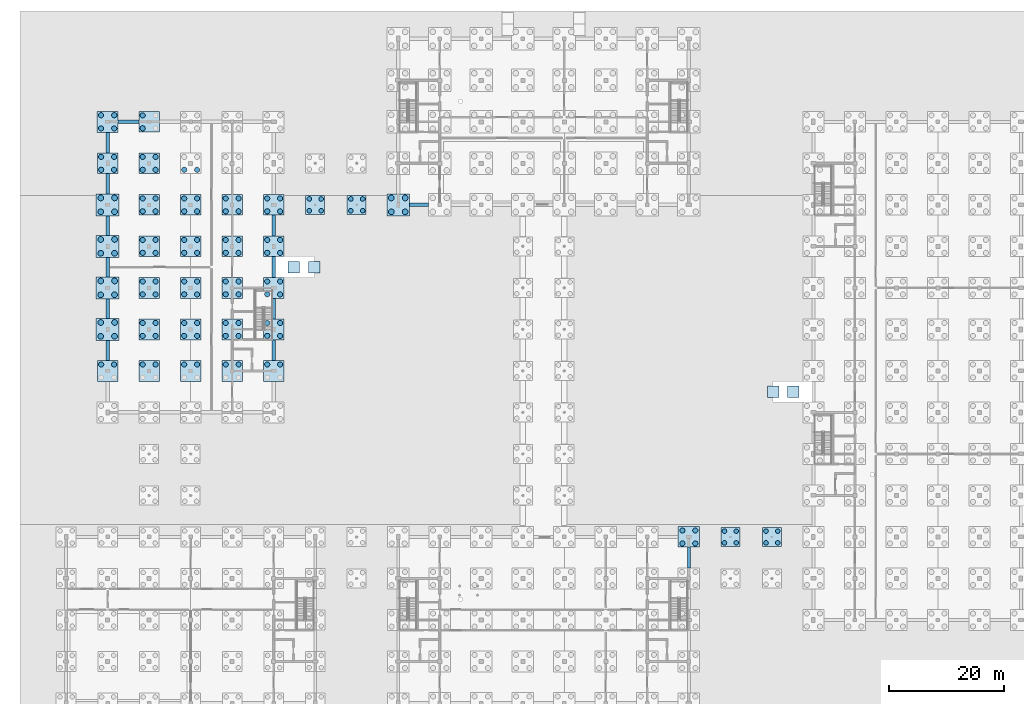
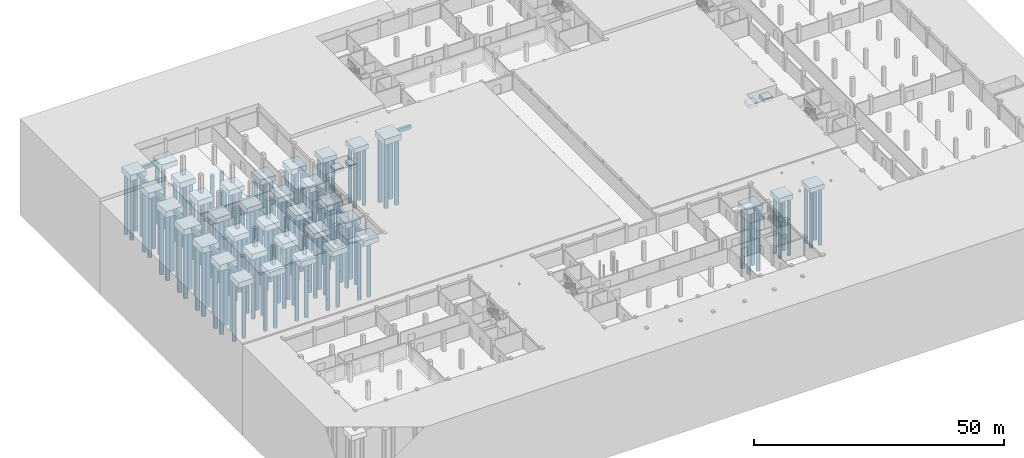
# One storey, part 4 of 51: 130 piles, 52 footings.
"""IFC4 building model written with IfcOpenShell, lengths in metres."""

from ifc_helpers import new_model, si_unit, direction, frame, origin, origin_2d, place, context, subcontext, project, spatial, rectangle, circle, extrude, material, material_profile, profile_set, type_object, element, save


model = new_model("IFC4")

# Units and contexts
model_context = context("Model", 3, precision=1e-05, world=origin(), true_north=direction((0.0, 1.0)))
body_context = subcontext(model_context, "Body", "Model", "MODEL_VIEW")
ifc_project = project(units=[si_unit("LENGTHUNIT", "METRE"), si_unit("AREAUNIT", "SQUARE_METRE"), si_unit("VOLUMEUNIT", "CUBIC_METRE"), si_unit("PLANEANGLEUNIT", "RADIAN"), si_unit("MASSUNIT", "GRAM", prefix="KILO")], contexts=[model_context])

# Site, building, storey
site_placement = place(None, origin())
site = spatial("IfcSite", under=ifc_project, at=site_placement, CompositionType="ELEMENT")
building_placement = place(site_placement, origin())
building = spatial("IfcBuilding", under=site, at=building_placement, Name="Zlatovets Crest Museum", CompositionType="ELEMENT")
storey_placement = place(building_placement, frame((0.0, 0.0, -4.5)))
storey = spatial("IfcBuildingStorey", under=building, at=storey_placement, Name="B1", CompositionType="ELEMENT", Elevation=-4.5)

# Piles
ifc_material = material(Name="Concrete C35/45", Category="concrete")
ifc_material_profile_1 = material_profile(ifc_material, circle(Radius=0.39990234375, at=origin_2d()), Name="PILE D800")
ifc_profile_set_1 = profile_set([ifc_material_profile_1], Name="Concrete C35/45")
pile_type_1 = type_object("IfcPileType", Name="BoredPile_PL-01", PredefinedType="BORED", material=ifc_profile_set_1)
for number, where, z_axis, x_axis, name in (
    (1, (42.179931640625, 85.3798828125, -1.39990234375), (0.0, 0.0, -1.0), (1.0, 0.0, 0.0), "Bored pile PL-01 BR3-S1T0.1"),
    (2, (42.179931640625, 87.419921875, -1.39990234375), (0.0, 0.0, -1.0), (1.0, 0.0, 0.0), "Bored pile PL-01 BR3-S1T0.2"),
    (3, (44.219970703125, 85.3798828125, -1.39990234375), (0.0, 0.0, -1.0), (1.0, 0.0, 0.0), "Bored pile PL-01 BR3-S1T0.3"),
    (4, (44.219970703125, 87.419921875, -1.39990234375), (0.0, 0.0, -1.0), (1.0, 0.0, 0.0), "Bored pile PL-01 BR3-S1T0.4"),
    (5, (49.3798828125, 85.3798828125, -1.39990234375), (0.0, 0.0, -1.0), (1.0, 0.0, 0.0), "Bored pile PL-01 BR3-S2T0.1"),
    (6, (49.3798828125, 87.419921875, -1.39990234375), (0.0, 0.0, -1.0), (1.0, 0.0, 0.0), "Bored pile PL-01 BR3-S2T0.2"),
    (7, (51.419921875, 85.3798828125, -1.39990234375), (0.0, 0.0, -1.0), (1.0, 0.0, 0.0), "Bored pile PL-01 BR3-S2T0.3"),
    (8, (51.419921875, 87.419921875, -1.39990234375), (0.0, 0.0, -1.0), (1.0, 0.0, 0.0), "Bored pile PL-01 BR3-S2T0.4"),
    (9, (114.179931640625, 27.780029296875, -1.39990234375), (0.0, 0.0, -1.0), (1.0, 0.0, 0.0), "Bored pile PL-01 BR4-S1T1.1"),
    (10, (114.179931640625, 29.820068359375, -1.39990234375), (0.0, 0.0, -1.0), (1.0, 0.0, 0.0), "Bored pile PL-01 BR4-S1T1.2"),
    (11, (116.219970703125, 27.780029296875, -1.39990234375), (0.0, 0.0, -1.0), (1.0, 0.0, 0.0), "Bored pile PL-01 BR4-S1T1.3"),
    (12, (116.219970703125, 29.820068359375, -1.39990234375), (0.0, 0.0, -1.0), (1.0, 0.0, 0.0), "Bored pile PL-01 BR4-S1T1.4"),
    (13, (121.3798828125, 27.780029296875, -1.39990234375), (0.0, 0.0, -1.0), (1.0, 0.0, 0.0), "Bored pile PL-01 BR4-S2T1.1"),
    (14, (121.3798828125, 29.820068359375, -1.39990234375), (0.0, 0.0, -1.0), (1.0, 0.0, 0.0), "Bored pile PL-01 BR4-S2T1.2"),
    (15, (123.419921875, 27.780029296875, -1.39990234375), (0.0, 0.0, -1.0), (1.0, 0.0, 0.0), "Bored pile PL-01 BR4-S2T1.3"),
    (16, (123.419921875, 29.820068359375, -1.39990234375), (0.0, 0.0, -1.0), (1.0, 0.0, 0.0), "Bored pile PL-01 BR4-S2T1.4"),
):
    element("IfcPile", number, at=place(storey_placement, frame(where, z_axis=z_axis, x_axis=x_axis)), inside=storey, type_object=pile_type_1, Name=name, PredefinedType="BORED", context=body_context, shape_type="SweptSolid", body=[
        extrude(circle(Radius=0.39990234375, at=origin_2d()), origin(), (0.0, 0.0, 1.0), 14.0),
    ])
ifc_material_profile_2 = material_profile(ifc_material, circle(Radius=0.449951171875, at=origin_2d()), Name="PILE D900")
ifc_profile_set_2 = profile_set([ifc_material_profile_2], Name="Concrete C35/45")
pile_type_2 = type_object("IfcPileType", Name="BoredPile_PL-02", PredefinedType="BORED", material=ifc_profile_set_2)
for number, where, z_axis, x_axis, name in (
    (17, (106.8798828125, 27.679931640625, -1.60009765625), (0.0, 0.0, -1.0), (1.0, 0.0, 0.0), "Bored pile PL-02 V2-X07Y04.1"),
    (18, (106.8798828125, 29.919921875, -1.60009765625), (0.0, 0.0, -1.0), (1.0, 0.0, 0.0), "Bored pile PL-02 V2-X07Y04.2"),
    (19, (109.1201171875, 27.679931640625, -1.60009765625), (0.0, 0.0, -1.0), (1.0, 0.0, 0.0), "Bored pile PL-02 V2-X07Y04.3"),
    (20, (109.1201171875, 29.919921875, -1.60009765625), (0.0, 0.0, -1.0), (1.0, 0.0, 0.0), "Bored pile PL-02 V2-X07Y04.4"),
    (21, (6.080078125, 58.719970703125, -1.550048828125), (0.0, 0.0, -1.0), (1.0, 0.0, 0.0), "Bored pile PL-02 V4-X00Y01.2"),
    (22, (8.320068359375, 58.719970703125, -1.550048828125), (0.0, 0.0, -1.0), (1.0, 0.0, 0.0), "Bored pile PL-02 V4-X00Y01.4"),
    (23, (6.080078125, 92.47998046875, -1.550048828125), (0.0, 0.0, -1.0), (1.0, 0.0, 0.0), "Bored pile PL-02 V4-X00Y06.1"),
    (24, (6.080078125, 94.719970703125, -1.550048828125), (0.0, 0.0, -1.0), (1.0, 0.0, 0.0), "Bored pile PL-02 V4-X00Y06.2"),
    (25, (8.320068359375, 92.47998046875, -1.550048828125), (0.0, 0.0, -1.0), (1.0, 0.0, 0.0), "Bored pile PL-02 V4-X00Y06.3"),
    (26, (8.320068359375, 94.719970703125, -1.550048828125), (0.0, 0.0, -1.0), (1.0, 0.0, 0.0), "Bored pile PL-02 V4-X00Y06.4"),
    (27, (6.06005859375, 99.659912109375, -1.60009765625), (0.0, 0.0, -1.0), (1.0, 0.0, 0.0), "Bored pile PL-02 V4-X00Y07.1"),
    (28, (6.06005859375, 101.93994140625, -1.60009765625), (0.0, 0.0, -1.0), (1.0, 0.0, 0.0), "Bored pile PL-02 V4-X00Y07.2"),
    (29, (8.340087890625, 99.659912109375, -1.60009765625), (0.0, 0.0, -1.0), (1.0, 0.0, 0.0), "Bored pile PL-02 V4-X00Y07.3"),
    (30, (8.340087890625, 101.93994140625, -1.60009765625), (0.0, 0.0, -1.0), (1.0, 0.0, 0.0), "Bored pile PL-02 V4-X00Y07.4"),
    (31, (13.280029296875, 58.719970703125, -1.550048828125), (0.0, 0.0, -1.0), (1.0, 0.0, 0.0), "Bored pile PL-02 V4-X01Y01.2"),
    (32, (15.52001953125, 58.719970703125, -1.550048828125), (0.0, 0.0, -1.0), (1.0, 0.0, 0.0), "Bored pile PL-02 V4-X01Y01.4"),
    (33, (13.280029296875, 63.679931640625, -1.550048828125), (0.0, 0.0, -1.0), (1.0, 0.0, 0.0), "Bored pile PL-02 V4-X01Y02.1"),
    (34, (13.280029296875, 65.919921875, -1.550048828125), (0.0, 0.0, -1.0), (1.0, 0.0, 0.0), "Bored pile PL-02 V4-X01Y02.2"),
    (35, (15.52001953125, 63.679931640625, -1.550048828125), (0.0, 0.0, -1.0), (1.0, 0.0, 0.0), "Bored pile PL-02 V4-X01Y02.3"),
    (36, (15.52001953125, 65.919921875, -1.550048828125), (0.0, 0.0, -1.0), (1.0, 0.0, 0.0), "Bored pile PL-02 V4-X01Y02.4"),
    (37, (13.280029296875, 70.8798828125, -1.550048828125), (0.0, 0.0, -1.0), (1.0, 0.0, 0.0), "Bored pile PL-02 V4-X01Y03.1"),
    (38, (13.280029296875, 73.1201171875, -1.550048828125), (0.0, 0.0, -1.0), (1.0, 0.0, 0.0), "Bored pile PL-02 V4-X01Y03.2"),
    (39, (15.52001953125, 70.8798828125, -1.550048828125), (0.0, 0.0, -1.0), (1.0, 0.0, 0.0), "Bored pile PL-02 V4-X01Y03.3"),
    (40, (15.52001953125, 73.1201171875, -1.550048828125), (0.0, 0.0, -1.0), (1.0, 0.0, 0.0), "Bored pile PL-02 V4-X01Y03.4"),
    (41, (13.280029296875, 78.080078125, -1.550048828125), (0.0, 0.0, -1.0), (1.0, 0.0, 0.0), "Bored pile PL-02 V4-X01Y04.1"),
    (42, (13.280029296875, 80.320068359375, -1.550048828125), (0.0, 0.0, -1.0), (1.0, 0.0, 0.0), "Bored pile PL-02 V4-X01Y04.2"),
    (43, (15.52001953125, 78.080078125, -1.550048828125), (0.0, 0.0, -1.0), (1.0, 0.0, 0.0), "Bored pile PL-02 V4-X01Y04.3"),
    (44, (15.52001953125, 80.320068359375, -1.550048828125), (0.0, 0.0, -1.0), (1.0, 0.0, 0.0), "Bored pile PL-02 V4-X01Y04.4"),
    (45, (13.280029296875, 85.280029296875, -1.550048828125), (0.0, 0.0, -1.0), (1.0, 0.0, 0.0), "Bored pile PL-02 V4-X01Y05.1"),
    (46, (13.280029296875, 87.52001953125, -1.550048828125), (0.0, 0.0, -1.0), (1.0, 0.0, 0.0), "Bored pile PL-02 V4-X01Y05.2"),
    (47, (15.52001953125, 85.280029296875, -1.550048828125), (0.0, 0.0, -1.0), (1.0, 0.0, 0.0), "Bored pile PL-02 V4-X01Y05.3"),
    (48, (15.52001953125, 87.52001953125, -1.550048828125), (0.0, 0.0, -1.0), (1.0, 0.0, 0.0), "Bored pile PL-02 V4-X01Y05.4"),
    (49, (13.280029296875, 92.47998046875, -1.550048828125), (0.0, 0.0, -1.0), (1.0, 0.0, 0.0), "Bored pile PL-02 V4-X01Y06.1"),
    (50, (13.280029296875, 94.719970703125, -1.550048828125), (0.0, 0.0, -1.0), (1.0, 0.0, 0.0), "Bored pile PL-02 V4-X01Y06.2"),
    (51, (15.52001953125, 92.47998046875, -1.550048828125), (0.0, 0.0, -1.0), (1.0, 0.0, 0.0), "Bored pile PL-02 V4-X01Y06.3"),
    (52, (15.52001953125, 94.719970703125, -1.550048828125), (0.0, 0.0, -1.0), (1.0, 0.0, 0.0), "Bored pile PL-02 V4-X01Y06.4"),
    (53, (13.280029296875, 99.679931640625, -1.550048828125), (0.0, 0.0, -1.0), (1.0, 0.0, 0.0), "Bored pile PL-02 V4-X01Y07.1"),
    (54, (13.280029296875, 101.919921875, -1.550048828125), (0.0, 0.0, -1.0), (1.0, 0.0, 0.0), "Bored pile PL-02 V4-X01Y07.2"),
    (55, (20.47998046875, 58.719970703125, -1.550048828125), (0.0, 0.0, -1.0), (1.0, 0.0, 0.0), "Bored pile PL-02 V4-X02Y01.2"),
    (56, (22.719970703125, 58.719970703125, -1.550048828125), (0.0, 0.0, -1.0), (1.0, 0.0, 0.0), "Bored pile PL-02 V4-X02Y01.4"),
    (57, (20.47998046875, 63.679931640625, -1.550048828125), (0.0, 0.0, -1.0), (1.0, 0.0, 0.0), "Bored pile PL-02 V4-X02Y02.1"),
    (58, (20.47998046875, 65.919921875, -1.550048828125), (0.0, 0.0, -1.0), (1.0, 0.0, 0.0), "Bored pile PL-02 V4-X02Y02.2"),
    (59, (22.719970703125, 63.679931640625, -1.550048828125), (0.0, 0.0, -1.0), (1.0, 0.0, 0.0), "Bored pile PL-02 V4-X02Y02.3"),
    (60, (22.719970703125, 65.919921875, -1.550048828125), (0.0, 0.0, -1.0), (1.0, 0.0, 0.0), "Bored pile PL-02 V4-X02Y02.4"),
    (61, (20.47998046875, 70.8798828125, -1.550048828125), (0.0, 0.0, -1.0), (1.0, 0.0, 0.0), "Bored pile PL-02 V4-X02Y03.1"),
    (62, (20.47998046875, 73.1201171875, -1.550048828125), (0.0, 0.0, -1.0), (1.0, 0.0, 0.0), "Bored pile PL-02 V4-X02Y03.2"),
    (63, (22.719970703125, 70.8798828125, -1.550048828125), (0.0, 0.0, -1.0), (1.0, 0.0, 0.0), "Bored pile PL-02 V4-X02Y03.3"),
    (64, (22.719970703125, 73.1201171875, -1.550048828125), (0.0, 0.0, -1.0), (1.0, 0.0, 0.0), "Bored pile PL-02 V4-X02Y03.4"),
    (65, (20.47998046875, 78.080078125, -1.550048828125), (0.0, 0.0, -1.0), (1.0, 0.0, 0.0), "Bored pile PL-02 V4-X02Y04.1"),
    (66, (20.47998046875, 80.320068359375, -1.550048828125), (0.0, 0.0, -1.0), (1.0, 0.0, 0.0), "Bored pile PL-02 V4-X02Y04.2"),
    (67, (22.719970703125, 78.080078125, -1.550048828125), (0.0, 0.0, -1.0), (1.0, 0.0, 0.0), "Bored pile PL-02 V4-X02Y04.3"),
    (68, (22.719970703125, 80.320068359375, -1.550048828125), (0.0, 0.0, -1.0), (1.0, 0.0, 0.0), "Bored pile PL-02 V4-X02Y04.4"),
    (69, (20.47998046875, 85.280029296875, -1.550048828125), (0.0, 0.0, -1.0), (1.0, 0.0, 0.0), "Bored pile PL-02 V4-X02Y05.1"),
    (70, (20.47998046875, 87.52001953125, -1.550048828125), (0.0, 0.0, -1.0), (1.0, 0.0, 0.0), "Bored pile PL-02 V4-X02Y05.2"),
    (71, (22.719970703125, 85.280029296875, -1.550048828125), (0.0, 0.0, -1.0), (1.0, 0.0, 0.0), "Bored pile PL-02 V4-X02Y05.3"),
    (72, (22.719970703125, 87.52001953125, -1.550048828125), (0.0, 0.0, -1.0), (1.0, 0.0, 0.0), "Bored pile PL-02 V4-X02Y05.4"),
    (73, (20.47998046875, 92.47998046875, -1.550048828125), (0.0, 0.0, -1.0), (1.0, 0.0, 0.0), "Bored pile PL-02 V4-X02Y06.1"),
    (74, (22.719970703125, 92.47998046875, -1.550048828125), (0.0, 0.0, -1.0), (1.0, 0.0, 0.0), "Bored pile PL-02 V4-X02Y06.3"),
    (75, (27.679931640625, 58.719970703125, -1.550048828125), (0.0, 0.0, -1.0), (1.0, 0.0, 0.0), "Bored pile PL-02 V4-X03Y01.2"),
    (76, (29.919921875, 58.719970703125, -1.550048828125), (0.0, 0.0, -1.0), (1.0, 0.0, 0.0), "Bored pile PL-02 V4-X03Y01.4"),
    (77, (27.679931640625, 63.679931640625, -1.550048828125), (0.0, 0.0, -1.0), (1.0, 0.0, 0.0), "Bored pile PL-02 V4-X03Y02.1"),
    (78, (27.679931640625, 65.919921875, -1.550048828125), (0.0, 0.0, -1.0), (1.0, 0.0, 0.0), "Bored pile PL-02 V4-X03Y02.2"),
    (79, (29.919921875, 63.679931640625, -1.550048828125), (0.0, 0.0, -1.0), (1.0, 0.0, 0.0), "Bored pile PL-02 V4-X03Y02.3"),
    (80, (29.919921875, 65.919921875, -1.550048828125), (0.0, 0.0, -1.0), (1.0, 0.0, 0.0), "Bored pile PL-02 V4-X03Y02.4"),
    (81, (27.679931640625, 70.8798828125, -1.550048828125), (0.0, 0.0, -1.0), (1.0, 0.0, 0.0), "Bored pile PL-02 V4-X03Y03.1"),
    (82, (27.679931640625, 73.1201171875, -1.550048828125), (0.0, 0.0, -1.0), (1.0, 0.0, 0.0), "Bored pile PL-02 V4-X03Y03.2"),
    (83, (29.919921875, 70.8798828125, -1.550048828125), (0.0, 0.0, -1.0), (1.0, 0.0, 0.0), "Bored pile PL-02 V4-X03Y03.3"),
    (84, (29.919921875, 73.1201171875, -1.550048828125), (0.0, 0.0, -1.0), (1.0, 0.0, 0.0), "Bored pile PL-02 V4-X03Y03.4"),
    (85, (27.679931640625, 78.080078125, -1.550048828125), (0.0, 0.0, -1.0), (1.0, 0.0, 0.0), "Bored pile PL-02 V4-X03Y04.1"),
    (86, (27.679931640625, 80.320068359375, -1.550048828125), (0.0, 0.0, -1.0), (1.0, 0.0, 0.0), "Bored pile PL-02 V4-X03Y04.2"),
    (87, (29.919921875, 78.080078125, -1.550048828125), (0.0, 0.0, -1.0), (1.0, 0.0, 0.0), "Bored pile PL-02 V4-X03Y04.3"),
    (88, (29.919921875, 80.320068359375, -1.550048828125), (0.0, 0.0, -1.0), (1.0, 0.0, 0.0), "Bored pile PL-02 V4-X03Y04.4"),
    (89, (27.679931640625, 85.280029296875, -1.550048828125), (0.0, 0.0, -1.0), (1.0, 0.0, 0.0), "Bored pile PL-02 V4-X03Y05.1"),
    (90, (27.679931640625, 87.52001953125, -1.550048828125), (0.0, 0.0, -1.0), (1.0, 0.0, 0.0), "Bored pile PL-02 V4-X03Y05.2"),
    (91, (29.919921875, 85.280029296875, -1.550048828125), (0.0, 0.0, -1.0), (1.0, 0.0, 0.0), "Bored pile PL-02 V4-X03Y05.3"),
    (92, (29.919921875, 87.52001953125, -1.550048828125), (0.0, 0.0, -1.0), (1.0, 0.0, 0.0), "Bored pile PL-02 V4-X03Y05.4"),
    (93, (34.8798828125, 58.719970703125, -1.550048828125), (0.0, 0.0, -1.0), (1.0, 0.0, 0.0), "Bored pile PL-02 V4-X04Y01.2"),
    (94, (37.1201171875, 58.719970703125, -1.550048828125), (0.0, 0.0, -1.0), (1.0, 0.0, 0.0), "Bored pile PL-02 V4-X04Y01.4"),
    (95, (34.8798828125, 63.679931640625, -1.550048828125), (0.0, 0.0, -1.0), (1.0, 0.0, 0.0), "Bored pile PL-02 V4-X04Y02.1"),
    (96, (34.8798828125, 65.919921875, -1.550048828125), (0.0, 0.0, -1.0), (1.0, 0.0, 0.0), "Bored pile PL-02 V4-X04Y02.2"),
    (97, (37.1201171875, 63.679931640625, -1.550048828125), (0.0, 0.0, -1.0), (1.0, 0.0, 0.0), "Bored pile PL-02 V4-X04Y02.3"),
    (98, (37.1201171875, 65.919921875, -1.550048828125), (0.0, 0.0, -1.0), (1.0, 0.0, 0.0), "Bored pile PL-02 V4-X04Y02.4"),
    (99, (34.8798828125, 70.8798828125, -1.550048828125), (0.0, 0.0, -1.0), (1.0, 0.0, 0.0), "Bored pile PL-02 V4-X04Y03.1"),
    (100, (34.8798828125, 73.1201171875, -1.550048828125), (0.0, 0.0, -1.0), (1.0, 0.0, 0.0), "Bored pile PL-02 V4-X04Y03.2"),
    (101, (37.1201171875, 70.8798828125, -1.550048828125), (0.0, 0.0, -1.0), (1.0, 0.0, 0.0), "Bored pile PL-02 V4-X04Y03.3"),
    (102, (37.1201171875, 73.1201171875, -1.550048828125), (0.0, 0.0, -1.0), (1.0, 0.0, 0.0), "Bored pile PL-02 V4-X04Y03.4"),
    (103, (34.8798828125, 78.080078125, -1.550048828125), (0.0, 0.0, -1.0), (1.0, 0.0, 0.0), "Bored pile PL-02 V4-X04Y04.1"),
    (104, (34.8798828125, 80.320068359375, -1.550048828125), (0.0, 0.0, -1.0), (1.0, 0.0, 0.0), "Bored pile PL-02 V4-X04Y04.2"),
    (105, (37.1201171875, 78.080078125, -1.550048828125), (0.0, 0.0, -1.0), (1.0, 0.0, 0.0), "Bored pile PL-02 V4-X04Y04.3"),
    (106, (37.1201171875, 80.320068359375, -1.550048828125), (0.0, 0.0, -1.0), (1.0, 0.0, 0.0), "Bored pile PL-02 V4-X04Y04.4"),
    (107, (34.8798828125, 85.280029296875, -1.550048828125), (0.0, 0.0, -1.0), (1.0, 0.0, 0.0), "Bored pile PL-02 V4-X04Y05.1"),
    (108, (34.8798828125, 87.52001953125, -1.550048828125), (0.0, 0.0, -1.0), (1.0, 0.0, 0.0), "Bored pile PL-02 V4-X04Y05.2"),
    (109, (37.1201171875, 85.280029296875, -1.550048828125), (0.0, 0.0, -1.0), (1.0, 0.0, 0.0), "Bored pile PL-02 V4-X04Y05.3"),
    (110, (37.1201171875, 87.52001953125, -1.550048828125), (0.0, 0.0, -1.0), (1.0, 0.0, 0.0), "Bored pile PL-02 V4-X04Y05.4"),
):
    element("IfcPile", number, at=place(storey_placement, frame(where, z_axis=z_axis, x_axis=x_axis)), inside=storey, type_object=pile_type_2, Name=name, PredefinedType="BORED", context=body_context, shape_type="SweptSolid", body=[
        extrude(circle(Radius=0.449951171875, at=origin_2d()), origin(), (0.0, 0.0, 1.0), 15.0),
    ])
ifc_material_profile_3 = material_profile(ifc_material, circle(Radius=0.5, at=origin_2d()), Name="PILE D1000")
ifc_profile_set_3 = profile_set([ifc_material_profile_3], Name="Concrete C35/45")
pile_type_3 = type_object("IfcPileType", Name="BoredPile_PL-03", PredefinedType="BORED", material=ifc_profile_set_3)
for number, where, z_axis, x_axis, name in (
    (111, (56.39990234375, 85.199951171875, -1.699951171875), (0.0, 0.0, -1.0), (1.0, 0.0, 0.0), "Bored pile PL-03 V1-X00Y00.1"),
    (112, (56.39990234375, 87.60009765625, -1.699951171875), (0.0, 0.0, -1.0), (1.0, 0.0, 0.0), "Bored pile PL-03 V1-X00Y00.2"),
    (113, (58.800048828125, 85.199951171875, -1.699951171875), (0.0, 0.0, -1.0), (1.0, 0.0, 0.0), "Bored pile PL-03 V1-X00Y00.3"),
    (114, (58.800048828125, 87.60009765625, -1.699951171875), (0.0, 0.0, -1.0), (1.0, 0.0, 0.0), "Bored pile PL-03 V1-X00Y00.4"),
    (115, (6.0, 63.60009765625, -1.699951171875), (0.0, 0.0, -1.0), (1.0, 0.0, 0.0), "Bored pile PL-03 V4-X00Y02.1"),
    (116, (6.0, 66.0, -1.699951171875), (0.0, 0.0, -1.0), (1.0, 0.0, 0.0), "Bored pile PL-03 V4-X00Y02.2"),
    (117, (8.39990234375, 63.60009765625, -1.699951171875), (0.0, 0.0, -1.0), (1.0, 0.0, 0.0), "Bored pile PL-03 V4-X00Y02.3"),
    (118, (8.39990234375, 66.0, -1.699951171875), (0.0, 0.0, -1.0), (1.0, 0.0, 0.0), "Bored pile PL-03 V4-X00Y02.4"),
    (119, (6.0, 70.800048828125, -1.699951171875), (0.0, 0.0, -1.0), (1.0, 0.0, 0.0), "Bored pile PL-03 V4-X00Y03.1"),
    (120, (6.0, 73.199951171875, -1.699951171875), (0.0, 0.0, -1.0), (1.0, 0.0, 0.0), "Bored pile PL-03 V4-X00Y03.2"),
    (121, (8.39990234375, 70.800048828125, -1.699951171875), (0.0, 0.0, -1.0), (1.0, 0.0, 0.0), "Bored pile PL-03 V4-X00Y03.3"),
    (122, (8.39990234375, 73.199951171875, -1.699951171875), (0.0, 0.0, -1.0), (1.0, 0.0, 0.0), "Bored pile PL-03 V4-X00Y03.4"),
    (123, (6.0, 78.0, -1.699951171875), (0.0, 0.0, -1.0), (1.0, 0.0, 0.0), "Bored pile PL-03 V4-X00Y04.1"),
    (124, (6.0, 80.39990234375, -1.699951171875), (0.0, 0.0, -1.0), (1.0, 0.0, 0.0), "Bored pile PL-03 V4-X00Y04.2"),
    (125, (8.39990234375, 78.0, -1.699951171875), (0.0, 0.0, -1.0), (1.0, 0.0, 0.0), "Bored pile PL-03 V4-X00Y04.3"),
    (126, (8.39990234375, 80.39990234375, -1.699951171875), (0.0, 0.0, -1.0), (1.0, 0.0, 0.0), "Bored pile PL-03 V4-X00Y04.4"),
    (127, (6.0, 85.199951171875, -1.699951171875), (0.0, 0.0, -1.0), (1.0, 0.0, 0.0), "Bored pile PL-03 V4-X00Y05.1"),
    (128, (6.0, 87.60009765625, -1.699951171875), (0.0, 0.0, -1.0), (1.0, 0.0, 0.0), "Bored pile PL-03 V4-X00Y05.2"),
    (129, (8.39990234375, 85.199951171875, -1.699951171875), (0.0, 0.0, -1.0), (1.0, 0.0, 0.0), "Bored pile PL-03 V4-X00Y05.3"),
    (130, (8.39990234375, 87.60009765625, -1.699951171875), (0.0, 0.0, -1.0), (1.0, 0.0, 0.0), "Bored pile PL-03 V4-X00Y05.4"),
):
    element("IfcPile", number, at=place(storey_placement, frame(where, z_axis=z_axis, x_axis=x_axis)), inside=storey, type_object=pile_type_3, Name=name, PredefinedType="BORED", context=body_context, shape_type="SweptSolid", body=[
        extrude(circle(Radius=0.5, at=origin_2d()), origin(), (0.0, 0.0, 1.0), 16.0),
    ])

# Footings
ifc_material_profile_4 = material_profile(ifc_material, rectangle(XDim=0.5, YDim=0.75, at=origin_2d()), Name="RC 500x750")
ifc_profile_set_4 = profile_set([ifc_material_profile_4], Name="Concrete C35/45")
footing_type_1 = type_object("IfcFootingType", Name="GroundBeam_GB-01", PredefinedType="FOOTING_BEAM", material=ifc_profile_set_4)
footing_1_placement = place(storey_placement, frame((108.0, 23.449951171875, -0.824951171875), z_axis=(0.0, 1.0, 0.0), x_axis=(-1.0, 0.0, 0.0)))
element("IfcFooting", 131, at=footing_1_placement, inside=storey, type_object=footing_type_1, Name="Ground tie-beam GB-01", PredefinedType="FOOTING_BEAM", context=body_context, shape_type="SweptSolid", body=[
    extrude(rectangle(XDim=0.5, YDim=0.75, at=origin_2d()), origin(), (0.0, 0.0, 1.0), 3.574951171875),
])
ifc_material_profile_5 = material_profile(ifc_material, rectangle(XDim=0.60009765625, YDim=0.85009765625, at=origin_2d()), Name="RC 600x850")
ifc_profile_set_5 = profile_set([ifc_material_profile_5], Name="Concrete C35/45")
footing_type_2 = type_object("IfcFootingType", Name="GroundBeam_GB-02", PredefinedType="FOOTING_BEAM", material=ifc_profile_set_5)
footing_2_placement = place(storey_placement, frame((59.574951171875, 86.39990234375, -0.875), z_axis=(1.0, 0.0, 0.0), x_axis=(0.0, 1.0, 0.0)))
element("IfcFooting", 132, at=footing_2_placement, inside=storey, type_object=footing_type_2, Name="Ground tie-beam GB-02", PredefinedType="FOOTING_BEAM", context=body_context, shape_type="SweptSolid", body=[
    extrude(rectangle(XDim=0.60009765625, YDim=0.85009765625, at=origin_2d()), origin(), (0.0, 0.0, 1.0), 3.275146484375),
])
footing_3_placement = place(storey_placement, frame((9.02490234375, 100.800048828125, -0.875), z_axis=(1.0, 0.0, 0.0), x_axis=(0.0, 1.0, 0.0)))
element("IfcFooting", 133, at=footing_3_placement, inside=storey, type_object=footing_type_2, Name="Ground tie-beam GB-02", PredefinedType="FOOTING_BEAM", context=body_context, shape_type="SweptSolid", body=[
    extrude(rectangle(XDim=0.60009765625, YDim=0.85009765625, at=origin_2d()), origin(), (0.0, 0.0, 1.0), 3.5751953125),
])
footing_4_placement = place(storey_placement, frame((7.199951171875, 59.39990234375, -0.875), z_axis=(0.0, 1.0, 0.0), x_axis=(-1.0, 0.0, 0.0)))
element("IfcFooting", 134, at=footing_4_placement, inside=storey, type_object=footing_type_2, Name="Ground tie-beam GB-02", PredefinedType="FOOTING_BEAM", context=body_context, shape_type="SweptSolid", body=[
    extrude(rectangle(XDim=0.60009765625, YDim=0.85009765625, at=origin_2d()), origin(), (0.0, 0.0, 1.0), 3.5),
])
for number, where, z_axis, x_axis, name in (
    (135, (7.199951171875, 66.699951171875, -0.875), (0.0, 1.0, 0.0), (-1.0, 0.0, 0.0), "Ground tie-beam GB-02"),
    (136, (7.199951171875, 73.89990234375, -0.875), (0.0, 1.0, 0.0), (-1.0, 0.0, 0.0), "Ground tie-beam GB-02"),
):
    element("IfcFooting", number, at=place(storey_placement, frame(where, z_axis=z_axis, x_axis=x_axis)), inside=storey, type_object=footing_type_2, Name=name, PredefinedType="FOOTING_BEAM", context=body_context, shape_type="SweptSolid", body=[
        extrude(rectangle(XDim=0.60009765625, YDim=0.85009765625, at=origin_2d()), origin(), (0.0, 0.0, 1.0), 3.400146484375),
    ])
footing_5_placement = place(storey_placement, frame((7.199951171875, 81.10009765625, -0.875), z_axis=(0.0, 1.0, 0.0), x_axis=(-1.0, 0.0, 0.0)))
element("IfcFooting", 137, at=footing_5_placement, inside=storey, type_object=footing_type_2, Name="Ground tie-beam GB-02", PredefinedType="FOOTING_BEAM", context=body_context, shape_type="SweptSolid", body=[
    extrude(rectangle(XDim=0.60009765625, YDim=0.85009765625, at=origin_2d()), origin(), (0.0, 0.0, 1.0), 3.39990234375),
])
footing_6_placement = place(storey_placement, frame((7.199951171875, 88.300048828125, -0.875), z_axis=(0.0, 1.0, 0.0), x_axis=(-1.0, 0.0, 0.0)))
element("IfcFooting", 138, at=footing_6_placement, inside=storey, type_object=footing_type_2, Name="Ground tie-beam GB-02", PredefinedType="FOOTING_BEAM", context=body_context, shape_type="SweptSolid", body=[
    extrude(rectangle(XDim=0.60009765625, YDim=0.85009765625, at=origin_2d()), origin(), (0.0, 0.0, 1.0), 3.5),
])
footing_7_placement = place(storey_placement, frame((7.199951171875, 95.39990234375, -0.875), z_axis=(0.0, 1.0, 0.0), x_axis=(-1.0, 0.0, 0.0)))
element("IfcFooting", 139, at=footing_7_placement, inside=storey, type_object=footing_type_2, Name="Ground tie-beam GB-02", PredefinedType="FOOTING_BEAM", context=body_context, shape_type="SweptSolid", body=[
    extrude(rectangle(XDim=0.60009765625, YDim=0.85009765625, at=origin_2d()), origin(), (0.0, 0.0, 1.0), 3.5751953125),
])
footing_8_placement = place(storey_placement, frame((36.0, 59.39990234375, -0.875), z_axis=(0.0, 1.0, 0.0), x_axis=(-1.0, 0.0, 0.0)))
element("IfcFooting", 140, at=footing_8_placement, inside=storey, type_object=footing_type_2, Name="Ground tie-beam GB-02", PredefinedType="FOOTING_BEAM", context=body_context, shape_type="SweptSolid", body=[
    extrude(rectangle(XDim=0.60009765625, YDim=0.85009765625, at=origin_2d()), origin(), (0.0, 0.0, 1.0), 3.60009765625),
])
for number, where, z_axis, x_axis, name in (
    (141, (36.0, 66.60009765625, -0.875), (0.0, 1.0, 0.0), (-1.0, 0.0, 0.0), "Ground tie-beam GB-02"),
    (142, (36.0, 73.800048828125, -0.875), (0.0, 1.0, 0.0), (-1.0, 0.0, 0.0), "Ground tie-beam GB-02"),
):
    element("IfcFooting", number, at=place(storey_placement, frame(where, z_axis=z_axis, x_axis=x_axis)), inside=storey, type_object=footing_type_2, Name=name, PredefinedType="FOOTING_BEAM", context=body_context, shape_type="SweptSolid", body=[
        extrude(rectangle(XDim=0.60009765625, YDim=0.85009765625, at=origin_2d()), origin(), (0.0, 0.0, 1.0), 3.599853515625),
    ])
footing_9_placement = place(storey_placement, frame((36.0, 81.0, -0.875), z_axis=(0.0, 1.0, 0.0), x_axis=(-1.0, 0.0, 0.0)))
element("IfcFooting", 143, at=footing_9_placement, inside=storey, type_object=footing_type_2, Name="Ground tie-beam GB-02", PredefinedType="FOOTING_BEAM", context=body_context, shape_type="SweptSolid", body=[
    extrude(rectangle(XDim=0.60009765625, YDim=0.85009765625, at=origin_2d()), origin(), (0.0, 0.0, 1.0), 3.60009765625),
])
footing_type_3 = type_object("IfcFootingType", Name="PadFooting_PF01", PredefinedType="PAD_FOOTING", material=ifc_material)
for number, where, z_axis, x_axis, name in (
    (144, (43.0, 75.60009765625, 3.050048828125), (0.0, 0.0, 1.0), (1.0, 0.0, 0.0), "West Court Step-Free Ramp Toe Pad Footing"),
    (145, (39.5, 75.60009765625, 3.22998046875), (0.0, 0.0, 1.0), (1.0, 0.0, 0.0), "West Court Step-Free Ramp Mid Pad Footing"),
    (146, (122.60009765625, 54.0, 3.050048828125), (0.0, 0.0, 1.0), (1.0, 0.0, 0.0), "East Court Step-Free Ramp Toe Pad Footing"),
    (147, (126.10009765625, 54.0, 3.22998046875), (0.0, 0.0, 1.0), (1.0, 0.0, 0.0), "East Court Step-Free Ramp Mid Pad Footing"),
):
    element("IfcFooting", number, at=place(storey_placement, frame(where, z_axis=z_axis, x_axis=x_axis)), inside=storey, type_object=footing_type_3, Name=name, PredefinedType="PAD_FOOTING", context=body_context, shape_type="SweptSolid", body=[
        extrude(rectangle(XDim=2.0, YDim=2.0, at=origin_2d()), origin(), (0.0, 0.0, 1.0), 0.89990234375),
    ])
footing_type_4 = type_object("IfcFootingType", Name="PileCap_PC-02", PredefinedType="PILE_CAP", material=ifc_material)
for number, where, z_axis, x_axis, name in (
    (148, (7.199951171875, 57.60009765625, -1.75), (0.0, 0.0, 1.0), (1.0, 0.0, 0.0), "Pile cap PC-02 at (7.2, 57.6)"),
    (149, (7.199951171875, 93.60009765625, -1.75), (0.0, 0.0, 1.0), (1.0, 0.0, 0.0), "Pile cap PC-02 at (7.2, 93.6)"),
    (150, (14.39990234375, 57.60009765625, -1.75), (0.0, 0.0, 1.0), (1.0, 0.0, 0.0), "Pile cap PC-02 at (14.4, 57.6)"),
    (151, (14.39990234375, 64.800048828125, -1.75), (0.0, 0.0, 1.0), (1.0, 0.0, 0.0), "Pile cap PC-02 at (14.4, 64.8)"),
    (152, (14.39990234375, 72.0, -1.75), (0.0, 0.0, 1.0), (1.0, 0.0, 0.0), "Pile cap PC-02 at (14.4, 72.0)"),
    (153, (14.39990234375, 79.199951171875, -1.75), (0.0, 0.0, 1.0), (1.0, 0.0, 0.0), "Pile cap PC-02 at (14.4, 79.2)"),
    (154, (14.39990234375, 86.39990234375, -1.75), (0.0, 0.0, 1.0), (1.0, 0.0, 0.0), "Pile cap PC-02 at (14.4, 86.4)"),
    (155, (14.39990234375, 93.60009765625, -1.75), (0.0, 0.0, 1.0), (1.0, 0.0, 0.0), "Pile cap PC-02 at (14.4, 93.6)"),
    (156, (14.39990234375, 100.800048828125, -1.75), (0.0, 0.0, 1.0), (1.0, 0.0, 0.0), "Pile cap PC-02 at (14.4, 100.8)"),
    (157, (21.60009765625, 57.60009765625, -1.75), (0.0, 0.0, 1.0), (1.0, 0.0, 0.0), "Pile cap PC-02 at (21.6, 57.6)"),
    (158, (21.60009765625, 64.800048828125, -1.75), (0.0, 0.0, 1.0), (1.0, 0.0, 0.0), "Pile cap PC-02 at (21.6, 64.8)"),
    (159, (21.60009765625, 72.0, -1.75), (0.0, 0.0, 1.0), (1.0, 0.0, 0.0), "Pile cap PC-02 at (21.6, 72.0)"),
    (160, (21.60009765625, 79.199951171875, -1.75), (0.0, 0.0, 1.0), (1.0, 0.0, 0.0), "Pile cap PC-02 at (21.6, 79.2)"),
    (161, (21.60009765625, 86.39990234375, -1.75), (0.0, 0.0, 1.0), (1.0, 0.0, 0.0), "Pile cap PC-02 at (21.6, 86.4)"),
    (162, (28.800048828125, 57.60009765625, -1.75), (0.0, 0.0, 1.0), (1.0, 0.0, 0.0), "Pile cap PC-02 at (28.8, 57.6)"),
    (163, (28.800048828125, 64.800048828125, -1.75), (0.0, 0.0, 1.0), (1.0, 0.0, 0.0), "Pile cap PC-02 at (28.8, 64.8)"),
    (164, (28.800048828125, 72.0, -1.75), (0.0, 0.0, 1.0), (1.0, 0.0, 0.0), "Pile cap PC-02 at (28.8, 72.0)"),
    (165, (28.800048828125, 79.199951171875, -1.75), (0.0, 0.0, 1.0), (1.0, 0.0, 0.0), "Pile cap PC-02 at (28.8, 79.2)"),
    (166, (28.800048828125, 86.39990234375, -1.75), (0.0, 0.0, 1.0), (1.0, 0.0, 0.0), "Pile cap PC-02 at (28.8, 86.4)"),
    (167, (36.0, 57.60009765625, -1.75), (0.0, 0.0, 1.0), (1.0, 0.0, 0.0), "Pile cap PC-02 at (36.0, 57.6)"),
    (168, (36.0, 64.800048828125, -1.75), (0.0, 0.0, 1.0), (1.0, 0.0, 0.0), "Pile cap PC-02 at (36.0, 64.8)"),
    (169, (36.0, 72.0, -1.75), (0.0, 0.0, 1.0), (1.0, 0.0, 0.0), "Pile cap PC-02 at (36.0, 72.0)"),
    (170, (36.0, 79.199951171875, -1.75), (0.0, 0.0, 1.0), (1.0, 0.0, 0.0), "Pile cap PC-02 at (36.0, 79.2)"),
    (171, (36.0, 86.39990234375, -1.75), (0.0, 0.0, 1.0), (1.0, 0.0, 0.0), "Pile cap PC-02 at (36.0, 86.4)"),
):
    element("IfcFooting", number, at=place(storey_placement, frame(where, z_axis=z_axis, x_axis=x_axis)), inside=storey, type_object=footing_type_4, Name=name, PredefinedType="PILE_CAP", context=body_context, shape_type="SweptSolid", body=[
        extrude(rectangle(XDim=3.60009765625, YDim=3.60009765625, at=origin_2d()), origin(), (0.0, 0.0, 1.0), 1.300048828125),
    ])
footing_type_5 = type_object("IfcFootingType", Name="PileCap_PC-05", PredefinedType="PILE_CAP", material=ifc_material)
for number, where, z_axis, x_axis, name in (
    (172, (43.199951171875, 86.39990234375, -1.599853515625), (0.0, 0.0, 1.0), (1.0, 0.0, 0.0), "Pile cap PC-05 at (43.2, 86.4)"),
    (173, (50.39990234375, 86.39990234375, -1.599853515625), (0.0, 0.0, 1.0), (1.0, 0.0, 0.0), "Pile cap PC-05 at (50.4, 86.4)"),
    (174, (115.199951171875, 28.800048828125, -1.599853515625), (0.0, 0.0, 1.0), (1.0, 0.0, 0.0), "Pile cap PC-05 at (115.2, 28.8)"),
    (175, (122.39990234375, 28.800048828125, -1.599853515625), (0.0, 0.0, 1.0), (1.0, 0.0, 0.0), "Pile cap PC-05 at (122.4, 28.8)"),
):
    element("IfcFooting", number, at=place(storey_placement, frame(where, z_axis=z_axis, x_axis=x_axis)), inside=storey, type_object=footing_type_5, Name=name, PredefinedType="PILE_CAP", context=body_context, shape_type="SweptSolid", body=[
        extrude(rectangle(XDim=3.300048828125, YDim=3.300048828125, at=origin_2d()), origin(), (0.0, 0.0, 1.0), 1.14990234375),
    ])
footing_type_6 = type_object("IfcFootingType", Name="PileCap_PC-06", PredefinedType="PILE_CAP", material=ifc_material)
for number, where, z_axis, x_axis, name in (
    (176, (7.199951171875, 64.800048828125, -1.89990234375), (0.0, 0.0, 1.0), (1.0, 0.0, 0.0), "Pile cap PC-06 at (7.2, 64.8)"),
    (177, (7.199951171875, 72.0, -1.89990234375), (0.0, 0.0, 1.0), (1.0, 0.0, 0.0), "Pile cap PC-06 at (7.2, 72.0)"),
    (178, (7.199951171875, 79.199951171875, -1.89990234375), (0.0, 0.0, 1.0), (1.0, 0.0, 0.0), "Pile cap PC-06 at (7.2, 79.2)"),
    (179, (7.199951171875, 86.39990234375, -1.89990234375), (0.0, 0.0, 1.0), (1.0, 0.0, 0.0), "Pile cap PC-06 at (7.2, 86.4)"),
):
    element("IfcFooting", number, at=place(storey_placement, frame(where, z_axis=z_axis, x_axis=x_axis)), inside=storey, type_object=footing_type_6, Name=name, PredefinedType="PILE_CAP", context=body_context, shape_type="SweptSolid", body=[
        extrude(rectangle(XDim=4.0, YDim=3.800048828125, at=origin_2d()), origin(), (0.0, 0.0, 1.0), 1.449951171875),
    ])
footing_type_7 = type_object("IfcFootingType", Name="PileCap_PC-08", PredefinedType="PILE_CAP", material=ifc_material)
footing_10_placement = place(storey_placement, frame((7.199951171875, 100.800048828125, -1.800048828125), z_axis=(0.0, 0.0, 1.0), x_axis=(1.0, 0.0, 0.0)))
element("IfcFooting", 180, at=footing_10_placement, inside=storey, type_object=footing_type_7, Name="Pile cap PC-08 at (7.2, 100.8)", PredefinedType="PILE_CAP", context=body_context, shape_type="SweptSolid", body=[
    extrude(rectangle(XDim=3.64990234375, YDim=3.64990234375, at=origin_2d()), origin(), (0.0, 0.0, 1.0), 1.35009765625),
])
footing_type_8 = type_object("IfcFootingType", Name="PileCap_PC-09", PredefinedType="PILE_CAP", material=ifc_material)
footing_11_placement = place(storey_placement, frame((108.0, 28.800048828125, -1.800048828125), z_axis=(0.0, 0.0, 1.0), x_axis=(1.0, 0.0, 0.0)))
element("IfcFooting", 181, at=footing_11_placement, inside=storey, type_object=footing_type_8, Name="Pile cap PC-09 at (108.0, 28.8)", PredefinedType="PILE_CAP", context=body_context, shape_type="SweptSolid", body=[
    extrude(rectangle(XDim=3.75, YDim=3.550048828125, at=origin_2d()), origin(), (0.0, 0.0, 1.0), 1.35009765625),
])
footing_type_9 = type_object("IfcFootingType", Name="PileCap_PC-10", PredefinedType="PILE_CAP", material=ifc_material)
footing_12_placement = place(storey_placement, frame((57.60009765625, 86.39990234375, -1.89990234375), z_axis=(0.0, 0.0, 1.0), x_axis=(1.0, 0.0, 0.0)))
element("IfcFooting", 182, at=footing_12_placement, inside=storey, type_object=footing_type_9, Name="Pile cap PC-10 at (57.6, 86.4)", PredefinedType="PILE_CAP", context=body_context, shape_type="SweptSolid", body=[
    extrude(rectangle(XDim=3.949951171875, YDim=3.85009765625, at=origin_2d()), origin(), (0.0, 0.0, 1.0), 1.449951171875),
])

save(model, "model.ifc")
